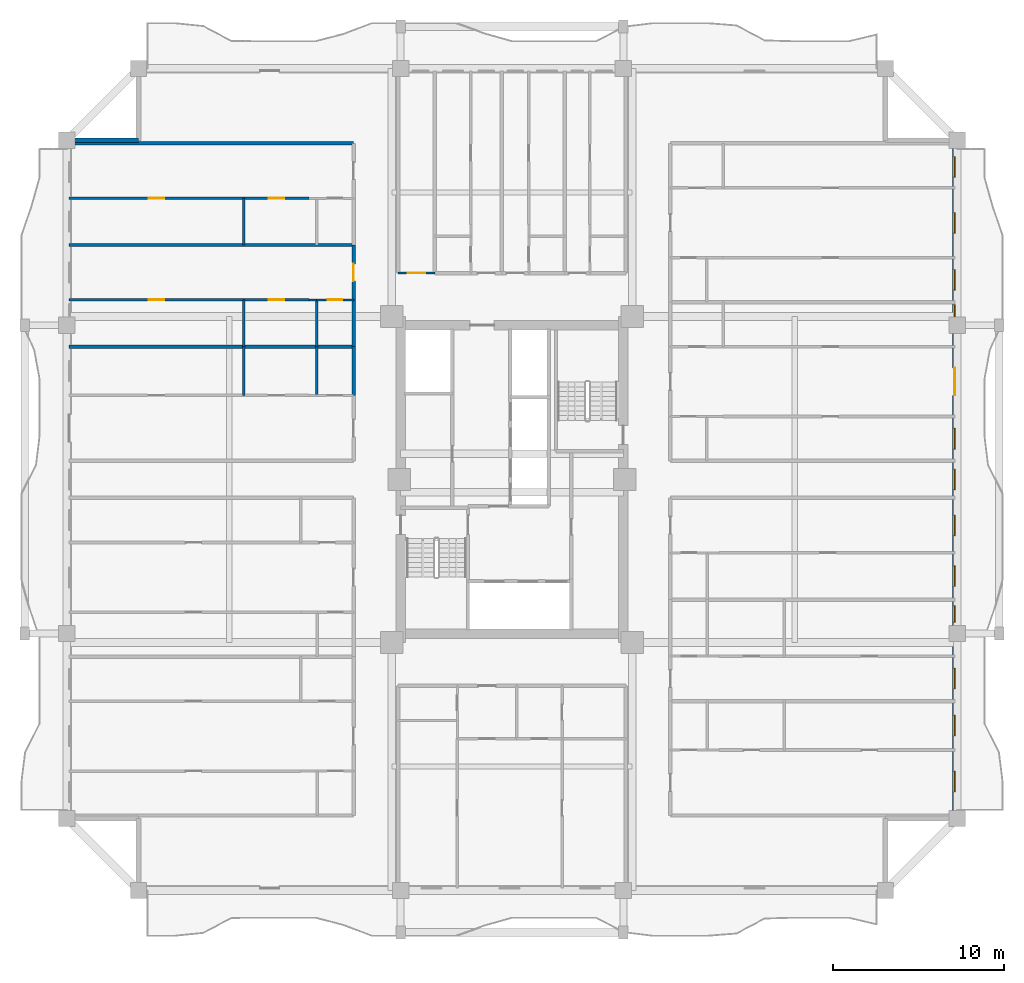
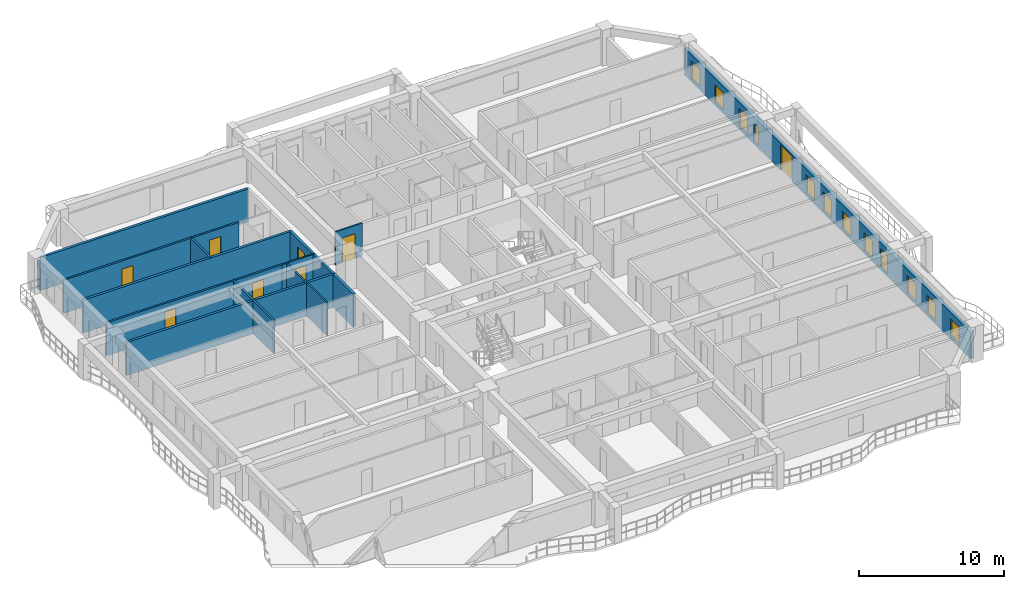
# One storey, part 6 of 14: 20 walls, 12 windows, 8 doors, 20 openings.
"""IFC4 building model written with IfcOpenShell, lengths in metres."""

from ifc_helpers import new_model, si_unit, direction, frame, frame_2d, origin, place, context, subcontext, project, spatial, rectangle, extrude, source, transform, mapped, material, layer, layer_set, type_object, element, fill, save


model = new_model("IFC4")

# Units and contexts
model_context = context("Model", 3, precision=1e-05, world=origin(), true_north=direction((0.0, 1.0)))
body_context = subcontext(model_context, "Body", "Model", "MODEL_VIEW")
ifc_project = project(units=[si_unit("LENGTHUNIT", "METRE"), si_unit("AREAUNIT", "SQUARE_METRE"), si_unit("VOLUMEUNIT", "CUBIC_METRE"), si_unit("PLANEANGLEUNIT", "RADIAN"), si_unit("MASSUNIT", "GRAM", prefix="KILO")], contexts=[model_context])

# Site, building, storey
site_placement = place(None, origin())
site = spatial("IfcSite", under=ifc_project, at=site_placement, CompositionType="ELEMENT")
building_placement = place(site_placement, origin())
building = spatial("IfcBuilding", under=site, at=building_placement, Name="Saelheon Loggia Tower", CompositionType="ELEMENT")
storey_placement = place(building_placement, frame((0.0, 0.0, 119.85009765625)))
storey = spatial("IfcBuildingStorey", under=building, at=storey_placement, Name="L38", CompositionType="ELEMENT", Elevation=119.85009765625)

# Wall, openings, windows, door
ifc_material_1 = material(Name="Architectural Precast Concrete C40/50", Category="concrete")
ifc_layer_1 = layer(ifc_material_1, 0.280029296875)
ifc_layer_set_1 = layer_set([ifc_layer_1], Name="Architectural Precast Concrete C40/50")
wall_type_1 = type_object("IfcWallType", Name="Wall_Ext_Loggia_280", PredefinedType="SOLIDWALL", material=ifc_layer_set_1)
wall_1_placement = place(storey_placement, frame((63.860107421875, 7.199951171875, 0.0), z_axis=(0.0, 0.0, 1.0), x_axis=(0.0, 1.0, 0.0)))
wall_1 = element("IfcWall", 1, at=wall_1_placement, inside=storey, type_object=wall_type_1, Name="L38 East Loggia Inner Wall", PredefinedType="SOLIDWALL", context=body_context, shape_type="SweptSolid", body=[
    extrude(rectangle(XDim=39.60009765625, YDim=0.280029296875, at=frame_2d((19.800048828125, 0.0))), origin(), (0.0, 0.0, 1.0), 2.27978515625),
])
opening_1_placement = place(wall_1_placement, frame((1.559814453125, 0.0, 0.25)))
opening_1 = element("IfcOpeningElement", 2, at=opening_1_placement, cuts=wall_1, Name="Opening WN-03", PredefinedType="OPENING", context=body_context, shape_type="SweptSolid", body=[
    extrude(rectangle(XDim=1.199951171875, YDim=1.5, at=frame_2d((0.60009765625, 0.75))), frame((0.0, 0.152099609375, 0.0), z_axis=(0.0, -1.0, 0.0), x_axis=(1.0, 0.0, 0.0)), (0.0, 0.0, 1.0), 0.303955078125),
])
opening_2_placement = place(wall_1_placement, frame((4.829345703125, 0.0, 0.25)))
opening_2 = element("IfcOpeningElement", 3, at=opening_2_placement, cuts=wall_1, Name="Opening WN-03", PredefinedType="OPENING", context=body_context, shape_type="SweptSolid", body=[
    extrude(rectangle(XDim=1.199951171875, YDim=1.5, at=frame_2d((0.60009765625, 0.75))), frame((0.0, 0.152099609375, 0.0), z_axis=(0.0, -1.0, 0.0), x_axis=(1.0, 0.0, 0.0)), (0.0, 0.0, 1.0), 0.303955078125),
])
opening_3_placement = place(wall_1_placement, frame((7.567138671875, 0.0, 0.25)))
opening_3 = element("IfcOpeningElement", 4, at=opening_3_placement, cuts=wall_1, Name="Opening WN-03", PredefinedType="OPENING", context=body_context, shape_type="SweptSolid", body=[
    extrude(rectangle(XDim=1.199951171875, YDim=1.5, at=frame_2d((0.60009765625, 0.75))), frame((0.0, 0.152099609375, 0.0), z_axis=(0.0, -1.0, 0.0), x_axis=(1.0, 0.0, 0.0)), (0.0, 0.0, 1.0), 0.303955078125),
])
opening_4_placement = place(wall_1_placement, frame((11.47607421875, 0.0, 0.25)))
opening_4 = element("IfcOpeningElement", 5, at=opening_4_placement, cuts=wall_1, Name="Opening WN-04", PredefinedType="OPENING", context=body_context, shape_type="SweptSolid", body=[
    extrude(rectangle(XDim=0.949951171875, YDim=1.5, at=frame_2d((0.47509765625, 0.75))), frame((0.0, 0.152099609375, 0.0), z_axis=(0.0, -1.0, 0.0), x_axis=(1.0, 0.0, 0.0)), (0.0, 0.0, 1.0), 0.303955078125),
])
opening_5_placement = place(wall_1_placement, frame((13.5517578125, 0.0, 0.25)))
opening_5 = element("IfcOpeningElement", 6, at=opening_5_placement, cuts=wall_1, Name="Opening WN-03", PredefinedType="OPENING", context=body_context, shape_type="SweptSolid", body=[
    extrude(rectangle(XDim=1.199951171875, YDim=1.5, at=frame_2d((0.60009765625, 0.75))), frame((0.0, 0.152099609375, 0.0), z_axis=(0.0, -1.0, 0.0), x_axis=(1.0, 0.0, 0.0)), (0.0, 0.0, 1.0), 0.303955078125),
])
opening_6_placement = place(wall_1_placement, frame((16.51806640625, 0.0, 0.25)))
opening_6 = element("IfcOpeningElement", 7, at=opening_6_placement, cuts=wall_1, Name="Opening WN-03", PredefinedType="OPENING", context=body_context, shape_type="SweptSolid", body=[
    extrude(rectangle(XDim=1.199951171875, YDim=1.5, at=frame_2d((0.60009765625, 0.75))), frame((0.0, 0.152099609375, 0.0), z_axis=(0.0, -1.0, 0.0), x_axis=(1.0, 0.0, 0.0)), (0.0, 0.0, 1.0), 0.303955078125),
])
opening_7_placement = place(wall_1_placement, frame((19.199951171875, 0.0, 0.25)))
opening_7 = element("IfcOpeningElement", 8, at=opening_7_placement, cuts=wall_1, Name="Opening WN-03", PredefinedType="OPENING", context=body_context, shape_type="SweptSolid", body=[
    extrude(rectangle(XDim=1.199951171875, YDim=1.5, at=frame_2d((0.60009765625, 0.75))), frame((0.0, 0.152099609375, 0.0), z_axis=(0.0, -1.0, 0.0), x_axis=(1.0, 0.0, 0.0)), (0.0, 0.0, 1.0), 0.303955078125),
])
opening_8_placement = place(wall_1_placement, frame((21.577880859375, 0.0, 0.25)))
opening_8 = element("IfcOpeningElement", 9, at=opening_8_placement, cuts=wall_1, Name="Opening WN-03", PredefinedType="OPENING", context=body_context, shape_type="SweptSolid", body=[
    extrude(rectangle(XDim=1.199951171875, YDim=1.5, at=frame_2d((0.60009765625, 0.75))), frame((0.0, 0.152099609375, 0.0), z_axis=(0.0, -1.0, 0.0), x_axis=(1.0, 0.0, 0.0)), (0.0, 0.0, 1.0), 0.303955078125),
])
opening_9_placement = place(wall_1_placement, frame((26.31298828125, 0.0, 0.0), z_axis=(0.0, 0.0, 1.0), x_axis=(-1.0, 0.0, 0.0)))
opening_9 = element("IfcOpeningElement", 10, at=opening_9_placement, cuts=wall_1, Name="Opening DLG-1", PredefinedType="OPENING", context=body_context, shape_type="SweptSolid", body=[
    extrude(rectangle(XDim=1.60009765625, YDim=2.14990234375, at=frame_2d((0.800048828125, 1.074951171875))), frame((0.0, 0.152099609375, 0.0), z_axis=(0.0, -1.0, 0.0), x_axis=(1.0, 0.0, 0.0)), (0.0, 0.0, 1.0), 0.303955078125),
])
opening_10_placement = place(wall_1_placement, frame((29.304931640625, 0.0, 0.25)))
opening_10 = element("IfcOpeningElement", 11, at=opening_10_placement, cuts=wall_1, Name="Opening WN-06", PredefinedType="OPENING", context=body_context, shape_type="SweptSolid", body=[
    extrude(rectangle(XDim=0.699951171875, YDim=1.5, at=frame_2d((0.35009765625, 0.75))), frame((0.0, 0.152099609375, 0.0), z_axis=(0.0, -1.0, 0.0), x_axis=(1.0, 0.0, 0.0)), (0.0, 0.0, 1.0), 0.303955078125),
])
opening_11_placement = place(wall_1_placement, frame((30.847900390625, 0.0, 0.25)))
opening_11 = element("IfcOpeningElement", 12, at=opening_11_placement, cuts=wall_1, Name="Opening WN-03", PredefinedType="OPENING", context=body_context, shape_type="SweptSolid", body=[
    extrude(rectangle(XDim=1.199951171875, YDim=1.5, at=frame_2d((0.60009765625, 0.75))), frame((0.0, 0.152099609375, 0.0), z_axis=(0.0, -1.0, 0.0), x_axis=(1.0, 0.0, 0.0)), (0.0, 0.0, 1.0), 0.303955078125),
])
opening_12_placement = place(wall_1_placement, frame((34.182861328125, 0.0, 0.25)))
opening_12 = element("IfcOpeningElement", 13, at=opening_12_placement, cuts=wall_1, Name="Opening WN-03", PredefinedType="OPENING", context=body_context, shape_type="SweptSolid", body=[
    extrude(rectangle(XDim=1.199951171875, YDim=1.5, at=frame_2d((0.60009765625, 0.75))), frame((0.0, 0.152099609375, 0.0), z_axis=(0.0, -1.0, 0.0), x_axis=(1.0, 0.0, 0.0)), (0.0, 0.0, 1.0), 0.303955078125),
])
opening_13_placement = place(wall_1_placement, frame((37.452392578125, 0.0, 0.25)))
opening_13 = element("IfcOpeningElement", 14, at=opening_13_placement, cuts=wall_1, Name="Opening WN-03", PredefinedType="OPENING", context=body_context, shape_type="SweptSolid", body=[
    extrude(rectangle(XDim=1.199951171875, YDim=1.5, at=frame_2d((0.60009765625, 0.75))), frame((0.0, 0.152099609375, 0.0), z_axis=(0.0, -1.0, 0.0), x_axis=(1.0, 0.0, 0.0)), (0.0, 0.0, 1.0), 0.303955078125),
])
ifc_material_2 = material(Name="Thermal-Break Aluminium and Triple Low-E Glass", Category="aluminium")
window_type_1 = type_object("IfcWindowType", Name="Win_Slot_700x1500", PartitioningType="SINGLE_PANEL", PredefinedType="WINDOW", material=ifc_material_2)
shared_shape_1 = source(origin(), body_context, "Body", "SweptSolid", [
    extrude(rectangle(XDim=0.699951171875, YDim=1.5, at=frame_2d((0.35009765625, 0.75))), frame((0.0, 0.030029296875, 0.0), z_axis=(0.0, -1.0, 0.0), x_axis=(1.0, 0.0, 0.0)), (0.0, 0.0, 1.0), 0.06005859375),
])
window_1_placement = place(opening_10_placement, origin())
window_1 = element("IfcWindow", 15, at=window_1_placement, inside=storey, type_object=window_type_1, Name="L38 E Dwelling Window 10", OverallHeight=1.5, OverallWidth=0.699951171875, PartitioningType="SINGLE_PANEL", PredefinedType="WINDOW", context=body_context, shape_type="MappedRepresentation", body=[
    mapped(shared_shape_1, transform((0.0, 0.0, 0.0), scale=1.0)),
])
fill(opening_10, window_1)
window_type_2 = type_object("IfcWindowType", Name="Win_Bedroom_1200x1500", PartitioningType="SINGLE_PANEL", PredefinedType="WINDOW", material=ifc_material_2)
shared_shape_2 = source(origin(), body_context, "Body", "SweptSolid", [
    extrude(rectangle(XDim=1.199951171875, YDim=1.5, at=frame_2d((0.60009765625, 0.75))), frame((0.0, 0.030029296875, 0.0), z_axis=(0.0, -1.0, 0.0), x_axis=(1.0, 0.0, 0.0)), (0.0, 0.0, 1.0), 0.06005859375),
])
window_2_placement = place(opening_1_placement, origin())
window_2 = element("IfcWindow", 16, at=window_2_placement, inside=storey, type_object=window_type_2, Name="L38 E Dwelling Window 1", OverallHeight=1.5, OverallWidth=1.199951171875, PartitioningType="SINGLE_PANEL", PredefinedType="WINDOW", context=body_context, shape_type="MappedRepresentation", body=[
    mapped(shared_shape_2, transform((0.0, 0.0, 0.0), scale=1.0)),
])
fill(opening_1, window_2)
window_3_placement = place(opening_2_placement, origin())
window_3 = element("IfcWindow", 17, at=window_3_placement, inside=storey, type_object=window_type_2, Name="L38 E Dwelling Window 2", OverallHeight=1.5, OverallWidth=1.199951171875, PartitioningType="SINGLE_PANEL", PredefinedType="WINDOW", context=body_context, shape_type="MappedRepresentation", body=[
    mapped(shared_shape_2, transform((0.0, 0.0, 0.0), scale=1.0)),
])
fill(opening_2, window_3)
window_4_placement = place(opening_3_placement, origin())
window_4 = element("IfcWindow", 18, at=window_4_placement, inside=storey, type_object=window_type_2, Name="L38 E Dwelling Window 3", OverallHeight=1.5, OverallWidth=1.199951171875, PartitioningType="SINGLE_PANEL", PredefinedType="WINDOW", context=body_context, shape_type="MappedRepresentation", body=[
    mapped(shared_shape_2, transform((0.0, 0.0, 0.0), scale=1.0)),
])
fill(opening_3, window_4)
window_5_placement = place(opening_5_placement, origin())
window_5 = element("IfcWindow", 19, at=window_5_placement, inside=storey, type_object=window_type_2, Name="L38 E Dwelling Window 5", OverallHeight=1.5, OverallWidth=1.199951171875, PartitioningType="SINGLE_PANEL", PredefinedType="WINDOW", context=body_context, shape_type="MappedRepresentation", body=[
    mapped(shared_shape_2, transform((0.0, 0.0, 0.0), scale=1.0)),
])
fill(opening_5, window_5)
window_6_placement = place(opening_6_placement, origin())
window_6 = element("IfcWindow", 20, at=window_6_placement, inside=storey, type_object=window_type_2, Name="L38 E Dwelling Window 6", OverallHeight=1.5, OverallWidth=1.199951171875, PartitioningType="SINGLE_PANEL", PredefinedType="WINDOW", context=body_context, shape_type="MappedRepresentation", body=[
    mapped(shared_shape_2, transform((0.0, 0.0, 0.0), scale=1.0)),
])
fill(opening_6, window_6)
window_7_placement = place(opening_7_placement, origin())
window_7 = element("IfcWindow", 21, at=window_7_placement, inside=storey, type_object=window_type_2, Name="L38 E Dwelling Window 7", OverallHeight=1.5, OverallWidth=1.199951171875, PartitioningType="SINGLE_PANEL", PredefinedType="WINDOW", context=body_context, shape_type="MappedRepresentation", body=[
    mapped(shared_shape_2, transform((0.0, 0.0, 0.0), scale=1.0)),
])
fill(opening_7, window_7)
window_8_placement = place(opening_8_placement, origin())
window_8 = element("IfcWindow", 22, at=window_8_placement, inside=storey, type_object=window_type_2, Name="L38 E Dwelling Window 8", OverallHeight=1.5, OverallWidth=1.199951171875, PartitioningType="SINGLE_PANEL", PredefinedType="WINDOW", context=body_context, shape_type="MappedRepresentation", body=[
    mapped(shared_shape_2, transform((0.0, 0.0, 0.0), scale=1.0)),
])
fill(opening_8, window_8)
window_9_placement = place(opening_11_placement, origin())
window_9 = element("IfcWindow", 23, at=window_9_placement, inside=storey, type_object=window_type_2, Name="L38 E Dwelling Window 11", OverallHeight=1.5, OverallWidth=1.199951171875, PartitioningType="SINGLE_PANEL", PredefinedType="WINDOW", context=body_context, shape_type="MappedRepresentation", body=[
    mapped(shared_shape_2, transform((0.0, 0.0, 0.0), scale=1.0)),
])
fill(opening_11, window_9)
window_10_placement = place(opening_12_placement, origin())
window_10 = element("IfcWindow", 24, at=window_10_placement, inside=storey, type_object=window_type_2, Name="L38 E Dwelling Window 12", OverallHeight=1.5, OverallWidth=1.199951171875, PartitioningType="SINGLE_PANEL", PredefinedType="WINDOW", context=body_context, shape_type="MappedRepresentation", body=[
    mapped(shared_shape_2, transform((0.0, 0.0, 0.0), scale=1.0)),
])
fill(opening_12, window_10)
window_11_placement = place(opening_13_placement, origin())
window_11 = element("IfcWindow", 25, at=window_11_placement, inside=storey, type_object=window_type_2, Name="L38 E Dwelling Window 13", OverallHeight=1.5, OverallWidth=1.199951171875, PartitioningType="SINGLE_PANEL", PredefinedType="WINDOW", context=body_context, shape_type="MappedRepresentation", body=[
    mapped(shared_shape_2, transform((0.0, 0.0, 0.0), scale=1.0)),
])
fill(opening_13, window_11)
window_type_3 = type_object("IfcWindowType", Name="Win_Narrow_950x1500", PartitioningType="SINGLE_PANEL", PredefinedType="WINDOW", material=ifc_material_2)
shared_shape_3 = source(origin(), body_context, "Body", "SweptSolid", [
    extrude(rectangle(XDim=0.949951171875, YDim=1.5, at=frame_2d((0.47509765625, 0.75))), frame((0.0, 0.030029296875, 0.0), z_axis=(0.0, -1.0, 0.0), x_axis=(1.0, 0.0, 0.0)), (0.0, 0.0, 1.0), 0.06005859375),
])
window_12_placement = place(opening_4_placement, origin())
window_12 = element("IfcWindow", 26, at=window_12_placement, inside=storey, type_object=window_type_3, Name="L38 E Dwelling Window 4", OverallHeight=1.5, OverallWidth=0.949951171875, PartitioningType="SINGLE_PANEL", PredefinedType="WINDOW", context=body_context, shape_type="MappedRepresentation", body=[
    mapped(shared_shape_3, transform((0.0, 0.0, 0.0), scale=1.0)),
])
fill(opening_4, window_12)
ifc_material_3 = material(Name="Thermal-Break Aluminium Sliding Glazed Door", Category="aluminium")
door_type_1 = type_object("IfcDoorType", Name="Door_LoggiaSlide_1600", OperationType="SLIDING_TO_LEFT", PredefinedType="DOOR", material=ifc_material_3)
shared_shape_4 = source(origin(), body_context, "Body", "SweptSolid", [
    extrude(rectangle(XDim=1.60009765625, YDim=2.14990234375, at=frame_2d((0.800048828125, 1.074951171875))), frame((0.0, 0.02490234375, 0.0), z_axis=(0.0, -1.0, 0.0), x_axis=(1.0, 0.0, 0.0)), (0.0, 0.0, 1.0), 0.050048828125),
])
door_1_placement = place(opening_9_placement, origin())
door_1 = element("IfcDoor", 27, at=door_1_placement, inside=storey, type_object=door_type_1, Name="L38 E Loggia Access Door", OperationType="SLIDING_TO_LEFT", OverallHeight=2.14990234375, OverallWidth=1.60009765625, PredefinedType="DOOR", context=body_context, shape_type="MappedRepresentation", body=[
    mapped(shared_shape_4, transform((0.0, 0.0, 0.0), scale=1.0)),
])
fill(opening_9, door_1)

# Walls
wall_2_placement = place(storey_placement, frame((12.080078125, 46.800048828125, 0.0), z_axis=(0.0, 0.0, 1.0), x_axis=(1.0, 0.0, 0.0)))
element("IfcWall", 28, at=wall_2_placement, inside=storey, type_object=wall_type_1, Name="L38 Corner Notch Precast Wall NW2", PredefinedType="SOLIDWALL", context=body_context, shape_type="SweptSolid", body=[
    extrude(rectangle(XDim=4.119873046875, YDim=0.280029296875, at=frame_2d((2.06005859375, 0.0))), origin(), (0.0, 0.0, 1.0), 2.27978515625),
])
ifc_material_4 = material(Name="Lightweight Autoclaved Aerated Concrete Block and Acoustic Gypsum", Category="concrete")
ifc_layer_2 = layer(ifc_material_4, 0.14990234375)
ifc_layer_set_2 = layer_set([ifc_layer_2], Name="Lightweight Autoclaved Aerated Concrete Block and Acoustic Gypsum")
wall_type_2 = type_object("IfcWallType", Name="Wall_Part_150", PredefinedType="PARTITIONING", material=ifc_layer_set_2)
wall_3_placement = place(storey_placement, frame((22.35009765625, 31.904296875, 0.0), z_axis=(0.0, 0.0, 1.0), x_axis=(0.0, 1.0, 0.0)))
element("IfcWall", 29, at=wall_3_placement, inside=storey, type_object=wall_type_2, Name="L38 WN Partition V08", PredefinedType="PARTITIONING", context=body_context, shape_type="SweptSolid", body=[
    extrude(rectangle(XDim=2.85009765625, YDim=0.14990234375, at=frame_2d((1.425048828125, 0.0))), origin(), (0.0, 0.0, 1.0), 2.789794921875),
])
wall_4_placement = place(storey_placement, frame((22.35009765625, 34.75439453125, 0.0), z_axis=(0.0, 0.0, 1.0), x_axis=(0.0, 1.0, 0.0)))
element("IfcWall", 30, at=wall_4_placement, inside=storey, type_object=wall_type_2, Name="L38 WN Partition V17", PredefinedType="PARTITIONING", context=body_context, shape_type="SweptSolid", body=[
    extrude(rectangle(XDim=2.72900390625, YDim=0.14990234375, at=frame_2d((1.364501953125, 0.0))), origin(), (0.0, 0.0, 1.0), 2.789794921875),
])

# Wall, opening, door
wall_5_placement = place(storey_placement, frame((26.14990234375, 37.4833984375, 0.0), z_axis=(0.0, 0.0, 1.0), x_axis=(-1.0, 0.0, 0.0)))
wall_5 = element("IfcWall", 31, at=wall_5_placement, inside=storey, type_object=wall_type_2, Name="L38 WN Partition U18", PredefinedType="PARTITIONING", context=body_context, shape_type="SweptSolid", body=[
    extrude(rectangle(XDim=3.7998046875, YDim=0.14990234375, at=frame_2d((1.89990234375, 0.0))), origin(), (0.0, 0.0, 1.0), 2.789794921875),
])
opening_14_placement = place(wall_5_placement, frame((1.449951171875, 0.0, 0.0)))
opening_14 = element("IfcOpeningElement", 32, at=opening_14_placement, cuts=wall_5, Name="Opening D-IN2", PredefinedType="OPENING", context=body_context, shape_type="SweptSolid", body=[
    extrude(rectangle(XDim=0.89990234375, YDim=2.10009765625, at=frame_2d((0.449951171875, 1.050048828125))), frame((0.0, 0.0869140625, 0.0), z_axis=(0.0, -1.0, 0.0), x_axis=(1.0, 0.0, 0.0)), (0.0, 0.0, 1.0), 0.173828125),
])
ifc_material_5 = material(Name="Engineered Oak Flush Door", Category="timber")
door_type_2 = type_object("IfcDoorType", Name="Door_Int_900", OperationType="NOTDEFINED", PredefinedType="DOOR", material=ifc_material_5)
shared_shape_5 = source(origin(), body_context, "Body", "SweptSolid", [
    extrude(rectangle(XDim=0.89990234375, YDim=2.10009765625, at=frame_2d((0.449951171875, 1.050048828125))), frame((0.0, 0.02490234375, 0.0), z_axis=(0.0, -1.0, 0.0), x_axis=(1.0, 0.0, 0.0)), (0.0, 0.0, 1.0), 0.050048828125),
])
door_2_placement = place(opening_14_placement, origin())
door_2 = element("IfcDoor", 33, at=door_2_placement, inside=storey, type_object=door_type_2, Name="Unit U08 Kitchen Door", OperationType="SINGLE_SWING_LEFT", OverallHeight=2.10009765625, OverallWidth=0.89990234375, PredefinedType="DOOR", context=body_context, shape_type="MappedRepresentation", body=[
    mapped(shared_shape_5, transform((0.0, 0.0, 0.0), scale=1.0)),
])
fill(opening_14, door_2)

wall_6_placement = place(storey_placement, frame((22.35009765625, 37.4833984375, 0.0), z_axis=(0.0, 0.0, 1.0), x_axis=(-1.0, 0.0, 0.0)))
wall_6 = element("IfcWall", 34, at=wall_6_placement, inside=storey, type_object=wall_type_2, Name="L38 WN Partition U19", PredefinedType="PARTITIONING", context=body_context, shape_type="SweptSolid", body=[
    extrude(rectangle(XDim=10.2001953125, YDim=0.14990234375, at=frame_2d((5.10009765625, 0.0))), origin(), (0.0, 0.0, 1.0), 2.789794921875),
])
opening_15_placement = place(wall_6_placement, frame((4.64990234375, 0.0, 0.0)))
opening_15 = element("IfcOpeningElement", 35, at=opening_15_placement, cuts=wall_6, Name="Opening D-IN2", PredefinedType="OPENING", context=body_context, shape_type="SweptSolid", body=[
    extrude(rectangle(XDim=0.89990234375, YDim=2.10009765625, at=frame_2d((0.449951171875, 1.050048828125))), frame((0.0, 0.0869140625, 0.0), z_axis=(0.0, -1.0, 0.0), x_axis=(1.0, 0.0, 0.0)), (0.0, 0.0, 1.0), 0.173828125),
])
door_3_placement = place(opening_15_placement, origin())
door_3 = element("IfcDoor", 36, at=door_3_placement, inside=storey, type_object=door_type_2, Name="Unit U08 Bedroom 1 Door", OperationType="SINGLE_SWING_RIGHT", OverallHeight=2.10009765625, OverallWidth=0.89990234375, PredefinedType="DOOR", context=body_context, shape_type="MappedRepresentation", body=[
    mapped(shared_shape_5, transform((0.0, 0.0, 0.0), scale=1.0)),
])
fill(opening_15, door_3)

# Wall
wall_7_placement = place(storey_placement, frame((22.35009765625, 40.687255859375, 0.0), z_axis=(0.0, 0.0, 1.0), x_axis=(0.0, 1.0, 0.0)))
element("IfcWall", 37, at=wall_7_placement, inside=storey, type_object=wall_type_2, Name="L38 WN Partition V26", PredefinedType="PARTITIONING", context=body_context, shape_type="SweptSolid", body=[
    extrude(rectangle(XDim=2.72900390625, YDim=0.14990234375, at=frame_2d((1.364501953125, 0.0))), origin(), (0.0, 0.0, 1.0), 2.789794921875),
])

# Wall, opening, door
wall_8_placement = place(storey_placement, frame((26.14990234375, 43.416259765625, 0.0), z_axis=(0.0, 0.0, 1.0), x_axis=(-1.0, 0.0, 0.0)))
wall_8 = element("IfcWall", 38, at=wall_8_placement, inside=storey, type_object=wall_type_2, Name="L38 WN Partition U27", PredefinedType="PARTITIONING", context=body_context, shape_type="SweptSolid", body=[
    extrude(rectangle(XDim=3.7998046875, YDim=0.14990234375, at=frame_2d((1.89990234375, 0.0))), origin(), (0.0, 0.0, 1.0), 2.789794921875),
])
opening_16_placement = place(wall_8_placement, frame((1.449951171875, 0.0, 0.0)))
opening_16 = element("IfcOpeningElement", 39, at=opening_16_placement, cuts=wall_8, Name="Opening D-IN2", PredefinedType="OPENING", context=body_context, shape_type="SweptSolid", body=[
    extrude(rectangle(XDim=0.89990234375, YDim=2.10009765625, at=frame_2d((0.449951171875, 1.050048828125))), frame((0.0, 0.0869140625, 0.0), z_axis=(0.0, -1.0, 0.0), x_axis=(1.0, 0.0, 0.0)), (0.0, 0.0, 1.0), 0.173828125),
])
door_4_placement = place(opening_16_placement, origin())
door_4 = element("IfcDoor", 40, at=door_4_placement, inside=storey, type_object=door_type_2, Name="Unit U09 Kitchen Door", OperationType="SINGLE_SWING_LEFT", OverallHeight=2.10009765625, OverallWidth=0.89990234375, PredefinedType="DOOR", context=body_context, shape_type="MappedRepresentation", body=[
    mapped(shared_shape_5, transform((0.0, 0.0, 0.0), scale=1.0)),
])
fill(opening_16, door_4)

wall_9_placement = place(storey_placement, frame((22.35009765625, 43.416259765625, 0.0), z_axis=(0.0, 0.0, 1.0), x_axis=(-1.0, 0.0, 0.0)))
wall_9 = element("IfcWall", 41, at=wall_9_placement, inside=storey, type_object=wall_type_2, Name="L38 WN Partition U28", PredefinedType="PARTITIONING", context=body_context, shape_type="SweptSolid", body=[
    extrude(rectangle(XDim=10.2001953125, YDim=0.14990234375, at=frame_2d((5.10009765625, 0.0))), origin(), (0.0, 0.0, 1.0), 2.789794921875),
])
opening_17_placement = place(wall_9_placement, frame((4.64990234375, 0.0, 0.0)))
opening_17 = element("IfcOpeningElement", 42, at=opening_17_placement, cuts=wall_9, Name="Opening D-IN2", PredefinedType="OPENING", context=body_context, shape_type="SweptSolid", body=[
    extrude(rectangle(XDim=0.89990234375, YDim=2.10009765625, at=frame_2d((0.449951171875, 1.050048828125))), frame((0.0, 0.0869140625, 0.0), z_axis=(0.0, -1.0, 0.0), x_axis=(1.0, 0.0, 0.0)), (0.0, 0.0, 1.0), 0.173828125),
])
door_5_placement = place(opening_17_placement, origin())
door_5 = element("IfcDoor", 43, at=door_5_placement, inside=storey, type_object=door_type_2, Name="Unit U09 Bedroom 1 Door", OperationType="SINGLE_SWING_RIGHT", OverallHeight=2.10009765625, OverallWidth=0.89990234375, PredefinedType="DOOR", context=body_context, shape_type="MappedRepresentation", body=[
    mapped(shared_shape_5, transform((0.0, 0.0, 0.0), scale=1.0)),
])
fill(opening_17, door_5)

# Walls
ifc_material_6 = material(Name="Double Acoustic Stud and Fireboard Partition", Category="gypsum")
ifc_layer_3 = layer(ifc_material_6, 0.199951171875)
ifc_layer_set_3 = layer_set([ifc_layer_3], Name="Double Acoustic Stud and Fireboard Partition")
wall_type_3 = type_object("IfcWallType", Name="Wall_Party_200", PredefinedType="PARTITIONING", material=ifc_layer_set_3)
wall_10_placement = place(storey_placement, frame((28.75, 46.6201171875, 0.0), z_axis=(0.0, 0.0, 1.0), x_axis=(-1.0, 0.0, 0.0)))
element("IfcWall", 44, at=wall_10_placement, inside=storey, type_object=wall_type_3, Name="L38 WN Partition U02", PredefinedType="PARTITIONING", context=body_context, shape_type="SweptSolid", body=[
    extrude(rectangle(XDim=16.60009765625, YDim=0.199951171875, at=frame_2d((8.300048828125, 0.0))), origin(), (0.0, 0.0, 1.0), 2.789794921875),
])
wall_11_placement = place(storey_placement, frame((28.75, 31.904296875, 0.0), z_axis=(0.0, 0.0, 1.0), x_axis=(0.0, 1.0, 0.0)))
element("IfcWall", 45, at=wall_11_placement, inside=storey, type_object=wall_type_3, Name="L38 WN Partition V04", PredefinedType="PARTITIONING", context=body_context, shape_type="SweptSolid", body=[
    extrude(rectangle(XDim=2.85009765625, YDim=0.199951171875, at=frame_2d((1.425048828125, 0.0))), origin(), (0.0, 0.0, 1.0), 2.789794921875),
])
wall_12_placement = place(storey_placement, frame((28.75, 34.75439453125, 0.0), z_axis=(0.0, 0.0, 1.0), x_axis=(-1.0, 0.0, 0.0)))
element("IfcWall", 46, at=wall_12_placement, inside=storey, type_object=wall_type_3, Name="L38 WN Partition U11", PredefinedType="PARTITIONING", context=body_context, shape_type="SweptSolid", body=[
    extrude(rectangle(XDim=16.60009765625, YDim=0.199951171875, at=frame_2d((8.300048828125, 0.0))), origin(), (0.0, 0.0, 1.0), 2.789794921875),
])
wall_13_placement = place(storey_placement, frame((28.75, 34.75439453125, 0.0), z_axis=(0.0, 0.0, 1.0), x_axis=(0.0, 1.0, 0.0)))
element("IfcWall", 47, at=wall_13_placement, inside=storey, type_object=wall_type_3, Name="L38 WN Partition V12", PredefinedType="PARTITIONING", context=body_context, shape_type="SweptSolid", body=[
    extrude(rectangle(XDim=2.72900390625, YDim=0.199951171875, at=frame_2d((1.364501953125, 0.0))), origin(), (0.0, 0.0, 1.0), 2.789794921875),
])

# Wall, opening, door
wall_14_placement = place(storey_placement, frame((28.75, 37.4833984375, 0.0), z_axis=(0.0, 0.0, 1.0), x_axis=(0.0, 1.0, 0.0)))
wall_14 = element("IfcWall", 48, at=wall_14_placement, inside=storey, type_object=wall_type_3, Name="L38 WN Partition V13", PredefinedType="PARTITIONING", context=body_context, shape_type="SweptSolid", body=[
    extrude(rectangle(XDim=3.203857421875, YDim=0.199951171875, at=frame_2d((1.60205078125, 0.0))), origin(), (0.0, 0.0, 1.0), 2.789794921875),
])
opening_18_placement = place(wall_14_placement, frame((1.101806640625, 0.0, 0.0)))
opening_18 = element("IfcOpeningElement", 49, at=opening_18_placement, cuts=wall_14, Name="Opening D-FD1", PredefinedType="OPENING", context=body_context, shape_type="SweptSolid", body=[
    extrude(rectangle(XDim=1.0, YDim=2.14990234375, at=frame_2d((0.5, 1.074951171875))), frame((0.0, 0.112060546875, 0.0), z_axis=(0.0, -1.0, 0.0), x_axis=(1.0, 0.0, 0.0)), (0.0, 0.0, 1.0), 0.223876953125),
])
ifc_material_7 = material(Name="Fire-Rated Engineered Timber Entrance Door", Category="wood")
door_type_3 = type_object("IfcDoorType", Name="Door_Flat_FD30S", OperationType="NOTDEFINED", PredefinedType="DOOR", material=ifc_material_7)
shared_shape_6 = source(origin(), body_context, "Body", "SweptSolid", [
    extrude(rectangle(XDim=1.0, YDim=2.14990234375, at=frame_2d((0.5, 1.074951171875))), frame((0.0, 0.02490234375, 0.0), z_axis=(0.0, -1.0, 0.0), x_axis=(1.0, 0.0, 0.0)), (0.0, 0.0, 1.0), 0.050048828125),
])
door_6_placement = place(opening_18_placement, origin())
door_6 = element("IfcDoor", 50, at=door_6_placement, inside=storey, type_object=door_type_3, Name="Unit U08 Entrance Door", OperationType="SINGLE_SWING_LEFT", OverallHeight=2.14990234375, OverallWidth=1.0, PredefinedType="DOOR", context=body_context, shape_type="MappedRepresentation", body=[
    mapped(shared_shape_6, transform((0.0, 0.0, 0.0), scale=1.0)),
])
fill(opening_18, door_6)

# Wall
wall_15_placement = place(storey_placement, frame((28.75, 40.687255859375, 0.0), z_axis=(0.0, 0.0, 1.0), x_axis=(-1.0, 0.0, 0.0)))
element("IfcWall", 51, at=wall_15_placement, inside=storey, type_object=wall_type_3, Name="L38 WN Partition U20", PredefinedType="PARTITIONING", context=body_context, shape_type="SweptSolid", body=[
    extrude(rectangle(XDim=16.60009765625, YDim=0.199951171875, at=frame_2d((8.300048828125, 0.0))), origin(), (0.0, 0.0, 1.0), 2.789794921875),
])

# Wall, opening, door
ifc_material_8 = material(Name="Moisture-Resistant Cement Board Partition", Category="gypsum")
ifc_layer_4 = layer(ifc_material_8, 0.1201171875)
ifc_layer_set_4 = layer_set([ifc_layer_4], Name="Moisture-Resistant Cement Board Partition")
wall_type_4 = type_object("IfcWallType", Name="Wall_WetPart_120", PredefinedType="PARTITIONING", material=ifc_layer_set_4)
wall_16_placement = place(storey_placement, frame((31.35009765625, 39.050048828125, 0.0), z_axis=(0.0, 0.0, 1.0), x_axis=(1.0, 0.0, 0.0)))
wall_16 = element("IfcWall", 52, at=wall_16_placement, inside=storey, type_object=wall_type_4, Name="L38 N Partition V04", PredefinedType="PARTITIONING", context=body_context, shape_type="SweptSolid", body=[
    extrude(rectangle(XDim=2.14990234375, YDim=0.1201171875, at=frame_2d((1.074951171875, 0.0))), origin(), (0.0, 0.0, 1.0), 2.789794921875),
])
opening_19_placement = place(wall_16_placement, frame((0.574951171875, 0.0, 0.0)))
opening_19 = element("IfcOpeningElement", 53, at=opening_19_placement, cuts=wall_16, Name="Opening D-AC1", PredefinedType="OPENING", context=body_context, shape_type="SweptSolid", body=[
    extrude(rectangle(XDim=1.0, YDim=2.10009765625, at=frame_2d((0.5, 1.050048828125))), frame((0.0, 0.072021484375, 0.0), z_axis=(0.0, -1.0, 0.0), x_axis=(1.0, 0.0, 0.0)), (0.0, 0.0, 1.0), 0.14404296875),
])
ifc_material_9 = material(Name="Accessible Laminate Flush Door", Category="timber")
door_type_4 = type_object("IfcDoorType", Name="Door_Acc_1000", OperationType="NOTDEFINED", PredefinedType="DOOR", material=ifc_material_9)
shared_shape_7 = source(origin(), body_context, "Body", "SweptSolid", [
    extrude(rectangle(XDim=1.0, YDim=2.10009765625, at=frame_2d((0.5, 1.050048828125))), frame((0.0, 0.02490234375, 0.0), z_axis=(0.0, -1.0, 0.0), x_axis=(1.0, 0.0, 0.0)), (0.0, 0.0, 1.0), 0.050048828125),
])
door_7_placement = place(opening_19_placement, origin())
door_7 = element("IfcDoor", 54, at=door_7_placement, inside=storey, type_object=door_type_4, Name="L38 Floor Accessible WC Door", OperationType="SINGLE_SWING_LEFT", OverallHeight=2.10009765625, OverallWidth=1.0, PredefinedType="DOOR", context=body_context, shape_type="MappedRepresentation", body=[
    mapped(shared_shape_7, transform((0.0, 0.0, 0.0), scale=1.0)),
])
fill(opening_19, door_7)

# Wall
wall_17_placement = place(storey_placement, frame((26.60009765625, 31.904296875, 0.0), z_axis=(0.0, 0.0, 1.0), x_axis=(0.0, 1.0, 0.0)))
element("IfcWall", 55, at=wall_17_placement, inside=storey, type_object=wall_type_4, Name="L38 WN Partition V07", PredefinedType="PARTITIONING", context=body_context, shape_type="SweptSolid", body=[
    extrude(rectangle(XDim=2.85009765625, YDim=0.1201171875, at=frame_2d((1.425048828125, 0.0))), origin(), (0.0, 0.0, 1.0), 2.789794921875),
])

# Wall, opening, door
wall_18_placement = place(storey_placement, frame((28.75, 37.4833984375, 0.0), z_axis=(0.0, 0.0, 1.0), x_axis=(-1.0, 0.0, 0.0)))
wall_18 = element("IfcWall", 56, at=wall_18_placement, inside=storey, type_object=wall_type_4, Name="L38 WN Partition U14", PredefinedType="PARTITIONING", context=body_context, shape_type="SweptSolid", body=[
    extrude(rectangle(XDim=2.14990234375, YDim=0.1201171875, at=frame_2d((1.074951171875, 0.0))), origin(), (0.0, 0.0, 1.0), 2.789794921875),
])
opening_20_placement = place(wall_18_placement, frame((0.64990234375, 0.0, 0.0)))
opening_20 = element("IfcOpeningElement", 57, at=opening_20_placement, cuts=wall_18, Name="Opening D-BT1", PredefinedType="OPENING", context=body_context, shape_type="SweptSolid", body=[
    extrude(rectangle(XDim=0.85009765625, YDim=2.050048828125, at=frame_2d((0.425048828125, 1.02490234375))), frame((0.0, 0.072021484375, 0.0), z_axis=(0.0, -1.0, 0.0), x_axis=(1.0, 0.0, 0.0)), (0.0, 0.0, 1.0), 0.14404296875),
])
ifc_material_10 = material(Name="Moisture-Resistant Laminate Timber Door", Category="wood")
door_type_5 = type_object("IfcDoorType", Name="Door_Bath_850", OperationType="NOTDEFINED", PredefinedType="DOOR", material=ifc_material_10)
shared_shape_8 = source(origin(), body_context, "Body", "SweptSolid", [
    extrude(rectangle(XDim=0.85009765625, YDim=2.050048828125, at=frame_2d((0.425048828125, 1.02490234375))), frame((0.0, 0.02490234375, 0.0), z_axis=(0.0, -1.0, 0.0), x_axis=(1.0, 0.0, 0.0)), (0.0, 0.0, 1.0), 0.050048828125),
])
door_8_placement = place(opening_20_placement, origin())
door_8 = element("IfcDoor", 58, at=door_8_placement, inside=storey, type_object=door_type_5, Name="Unit U08 Bathroom Door", OperationType="SINGLE_SWING_RIGHT", OverallHeight=2.050048828125, OverallWidth=0.85009765625, PredefinedType="DOOR", context=body_context, shape_type="MappedRepresentation", body=[
    mapped(shared_shape_8, transform((0.0, 0.0, 0.0), scale=1.0)),
])
fill(opening_20, door_8)

# Walls
wall_19_placement = place(storey_placement, frame((26.60009765625, 37.4833984375, 0.0), z_axis=(0.0, 0.0, 1.0), x_axis=(-1.0, 0.0, 0.0)))
element("IfcWall", 59, at=wall_19_placement, inside=storey, type_object=wall_type_4, Name="L38 WN Partition U15", PredefinedType="PARTITIONING", context=body_context, shape_type="SweptSolid", body=[
    extrude(rectangle(XDim=0.4501953125, YDim=0.1201171875, at=frame_2d((0.22509765625, 0.0))), origin(), (0.0, 0.0, 1.0), 2.789794921875),
])
wall_20_placement = place(storey_placement, frame((26.60009765625, 34.75439453125, 0.0), z_axis=(0.0, 0.0, 1.0), x_axis=(0.0, 1.0, 0.0)))
element("IfcWall", 60, at=wall_20_placement, inside=storey, type_object=wall_type_4, Name="L38 WN Partition V16", PredefinedType="PARTITIONING", context=body_context, shape_type="SweptSolid", body=[
    extrude(rectangle(XDim=2.72900390625, YDim=0.1201171875, at=frame_2d((1.364501953125, 0.0))), origin(), (0.0, 0.0, 1.0), 2.789794921875),
])

save(model, "model.ifc")
